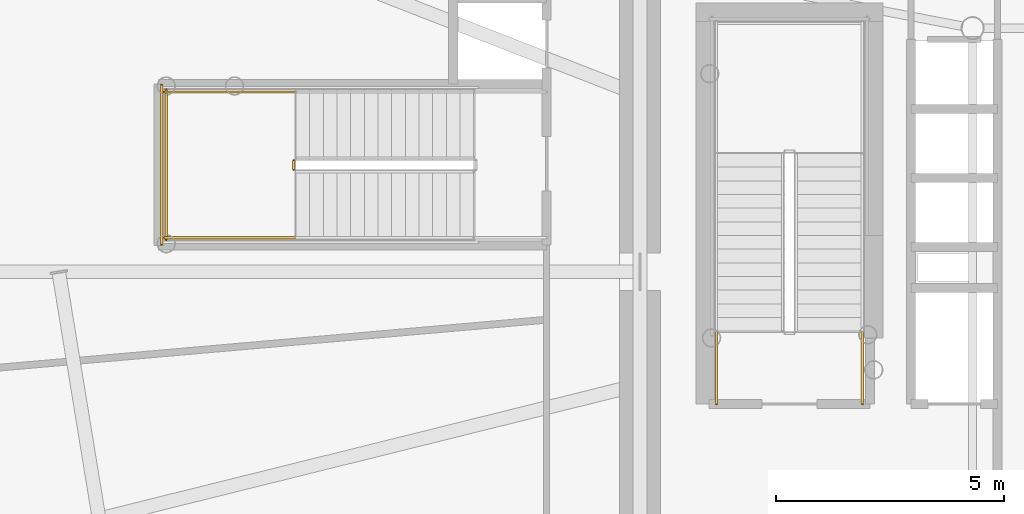
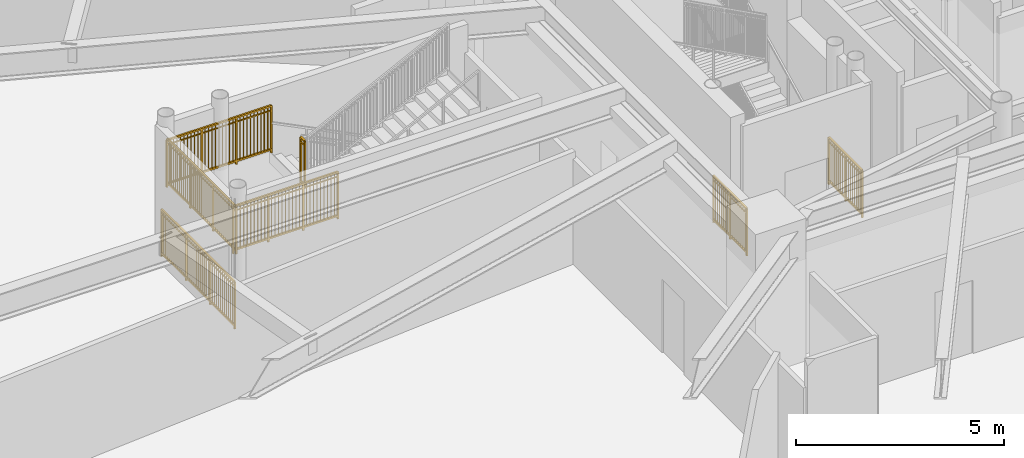
# One storey, part 21 of 31: 7 railings.
"""IFC4 building model written with IfcOpenShell, lengths in metres."""

from ifc_helpers import new_model, si_unit, direction, frame, origin, origin_2d, place, context, subcontext, project, spatial, rectangle, extrude, source, transform, mapped, material, type_object, element, save


model = new_model("IFC4")

# Units and contexts
model_context = context("Model", 3, precision=1e-05, world=origin(), true_north=direction((0.0, 1.0)))
body_context = subcontext(model_context, "Body", "Model", "MODEL_VIEW")
ifc_project = project(units=[si_unit("LENGTHUNIT", "METRE"), si_unit("AREAUNIT", "SQUARE_METRE"), si_unit("VOLUMEUNIT", "CUBIC_METRE"), si_unit("PLANEANGLEUNIT", "RADIAN"), si_unit("MASSUNIT", "GRAM", prefix="KILO")], contexts=[model_context])

# Site, building, storey
site_placement = place(None, origin())
site = spatial("IfcSite", under=ifc_project, at=site_placement, CompositionType="ELEMENT")
building_placement = place(site_placement, origin())
building = spatial("IfcBuilding", under=site, at=building_placement, Name="Linh Dai School and Residence Tower", CompositionType="ELEMENT")
storey_placement = place(building_placement, frame((0.0, 0.0, 6.0)))
storey = spatial("IfcBuildingStorey", under=building, at=storey_placement, Name="L01", CompositionType="ELEMENT", Elevation=6.0)

# Railings
ifc_material = material(Name="Structural Steel S355JR", Category="steel")
railing_type = type_object("IfcRailingType", Name="RL-ST-GUARD-1400", PredefinedType="GUARDRAIL", material=ifc_material)
shared_shape_1 = source(origin(), body_context, "Body", "SweptSolid", [
    extrude(rectangle(XDim=0.048095703125, YDim=0.048095703125, at=origin_2d()), frame((0.0, 0.0, 1.3759765625), z_axis=(0.0, 1.0, 0.0), x_axis=(-1.0, 0.0, 0.0)), (0.0, 0.0, 1.0), 1.599853515625),
    extrude(rectangle(XDim=0.048095703125, YDim=0.048095703125, at=origin_2d()), frame((0.0, 0.0, 0.10009765625), z_axis=(0.0, 1.0, 0.0), x_axis=(-1.0, 0.0, 0.0)), (0.0, 0.0, 1.0), 1.599853515625),
    extrude(rectangle(XDim=0.030029296875, YDim=0.030029296875, at=origin_2d()), frame((0.0, 0.0, 1.239990234375), z_axis=(0.0, 1.0, 0.0), x_axis=(-1.0, 0.0, 0.0)), (0.0, 0.0, 1.0), 1.599853515625),
    extrude(rectangle(XDim=0.02001953125, YDim=0.02001953125, at=origin_2d()), frame((0.0, 0.093994140625, 0.10009765625)), (0.0, 0.0, 1.0), 1.251708984375),
    extrude(rectangle(XDim=0.02001953125, YDim=0.02001953125, at=origin_2d()), frame((0.0, 0.188232421875, 0.10009765625)), (0.0, 0.0, 1.0), 1.251708984375),
    extrude(rectangle(XDim=0.02001953125, YDim=0.02001953125, at=origin_2d()), frame((0.0, 0.2822265625, 0.10009765625)), (0.0, 0.0, 1.0), 1.251708984375),
    extrude(rectangle(XDim=0.02001953125, YDim=0.02001953125, at=origin_2d()), frame((0.0, 0.37646484375, 0.10009765625)), (0.0, 0.0, 1.0), 1.251708984375),
    extrude(rectangle(XDim=0.02001953125, YDim=0.02001953125, at=origin_2d()), frame((0.0, 0.470458984375, 0.10009765625)), (0.0, 0.0, 1.0), 1.251708984375),
    extrude(rectangle(XDim=0.02001953125, YDim=0.02001953125, at=origin_2d()), frame((0.0, 0.564697265625, 0.10009765625)), (0.0, 0.0, 1.0), 1.251708984375),
    extrude(rectangle(XDim=0.02001953125, YDim=0.02001953125, at=origin_2d()), frame((0.0, 0.65869140625, 0.10009765625)), (0.0, 0.0, 1.0), 1.251708984375),
    extrude(rectangle(XDim=0.02001953125, YDim=0.02001953125, at=origin_2d()), frame((0.0, 0.7529296875, 0.10009765625)), (0.0, 0.0, 1.0), 1.251708984375),
    extrude(rectangle(XDim=0.02001953125, YDim=0.02001953125, at=origin_2d()), frame((0.0, 0.846923828125, 0.10009765625)), (0.0, 0.0, 1.0), 1.251708984375),
    extrude(rectangle(XDim=0.02001953125, YDim=0.02001953125, at=origin_2d()), frame((0.0, 0.941162109375, 0.10009765625)), (0.0, 0.0, 1.0), 1.251708984375),
    extrude(rectangle(XDim=0.02001953125, YDim=0.02001953125, at=origin_2d()), frame((0.0, 1.03515625, 0.10009765625)), (0.0, 0.0, 1.0), 1.251708984375),
    extrude(rectangle(XDim=0.02001953125, YDim=0.02001953125, at=origin_2d()), frame((0.0, 1.12939453125, 0.10009765625)), (0.0, 0.0, 1.0), 1.251708984375),
    extrude(rectangle(XDim=0.02001953125, YDim=0.02001953125, at=origin_2d()), frame((0.0, 1.223388671875, 0.10009765625)), (0.0, 0.0, 1.0), 1.251708984375),
    extrude(rectangle(XDim=0.02001953125, YDim=0.02001953125, at=origin_2d()), frame((0.0, 1.317626953125, 0.10009765625)), (0.0, 0.0, 1.0), 1.251708984375),
    extrude(rectangle(XDim=0.02001953125, YDim=0.02001953125, at=origin_2d()), frame((0.0, 1.41162109375, 0.10009765625)), (0.0, 0.0, 1.0), 1.251708984375),
    extrude(rectangle(XDim=0.02001953125, YDim=0.02001953125, at=origin_2d()), frame((0.0, 1.505859375, 0.10009765625)), (0.0, 0.0, 1.0), 1.251708984375),
    extrude(rectangle(XDim=0.0419921875, YDim=0.0419921875, at=origin_2d()), origin(), (0.0, 0.0, 1.0), 1.3759765625),
    extrude(rectangle(XDim=0.0419921875, YDim=0.0419921875, at=origin_2d()), frame((0.0, 0.7998046875, 0.0)), (0.0, 0.0, 1.0), 1.3759765625),
    extrude(rectangle(XDim=0.0419921875, YDim=0.0419921875, at=origin_2d()), frame((0.0, 1.599853515625, 0.0)), (0.0, 0.0, 1.0), 1.3759765625),
])
for number, where, name in (
    (1, (30.929931640625, 24.10009765625, 0.0), "L01 ST1 stair guard 8"),
    (2, (27.72998046875, 24.10009765625, 0.0), "L01 ST1 stair guard 9"),
):
    element("IfcRailing", number, at=place(storey_placement, frame(where)), inside=storey, type_object=railing_type, Name=name, PredefinedType="GUARDRAIL", context=body_context, shape_type="MappedRepresentation", body=[
        mapped(shared_shape_1, transform((0.0, 0.0, 0.0), x_axis=(1.0, 0.0, 0.0), y_axis=(0.0, 1.0, 0.0), z_axis=(0.0, 0.0, 1.0), scale=1.0)),
    ])
shared_shape_2 = source(origin(), body_context, "Body", "SweptSolid", [
    extrude(rectangle(XDim=0.048095703125, YDim=0.048095703125, at=origin_2d()), frame((0.0, 0.0, 1.3759765625), z_axis=(0.0, -1.0, 0.0), x_axis=(1.0, 0.0, 0.0)), (0.0, 0.0, 1.0), 0.199951171875),
    extrude(rectangle(XDim=0.048095703125, YDim=0.048095703125, at=origin_2d()), frame((0.0, 0.0, 0.10009765625), z_axis=(0.0, -1.0, 0.0), x_axis=(1.0, 0.0, 0.0)), (0.0, 0.0, 1.0), 0.199951171875),
    extrude(rectangle(XDim=0.030029296875, YDim=0.030029296875, at=origin_2d()), frame((0.0, 0.0, 1.239990234375), z_axis=(0.0, -1.0, 0.0), x_axis=(1.0, 0.0, 0.0)), (0.0, 0.0, 1.0), 0.199951171875),
    extrude(rectangle(XDim=0.0419921875, YDim=0.0419921875, at=origin_2d()), origin(), (0.0, 0.0, 1.0), 1.3759765625),
    extrude(rectangle(XDim=0.0419921875, YDim=0.0419921875, at=origin_2d()), frame((0.0, -0.199951171875, 0.0)), (0.0, 0.0, 1.0), 1.3759765625),
])
railing_1_placement = place(storey_placement, frame((18.449951171875, 29.449951171875, 2.10009765625)))
element("IfcRailing", 3, at=railing_1_placement, inside=storey, type_object=railing_type, Name="L01 STS1 stair guard 2", PredefinedType="GUARDRAIL", context=body_context, shape_type="MappedRepresentation", body=[
    mapped(shared_shape_2, transform((0.0, 0.0, 0.0), x_axis=(1.0, 0.0, 0.0), y_axis=(0.0, 1.0, 0.0), z_axis=(0.0, 0.0, 1.0), scale=1.0)),
])
shared_shape_3 = source(origin(), body_context, "Body", "SweptSolid", [
    extrude(rectangle(XDim=0.048095703125, YDim=0.048095703125, at=origin_2d()), frame((0.0, 0.0, 1.3759765625), z_axis=(0.0, -1.0, 0.0), x_axis=(1.0, 0.0, 0.0)), (0.0, 0.0, 1.0), 3.300048828125),
    extrude(rectangle(XDim=0.048095703125, YDim=0.048095703125, at=origin_2d()), frame((0.0, 0.0, 0.10009765625), z_axis=(0.0, -1.0, 0.0), x_axis=(1.0, 0.0, 0.0)), (0.0, 0.0, 1.0), 3.300048828125),
    extrude(rectangle(XDim=0.030029296875, YDim=0.030029296875, at=origin_2d()), frame((0.0, 0.0, 1.239990234375), z_axis=(0.0, -1.0, 0.0), x_axis=(1.0, 0.0, 0.0)), (0.0, 0.0, 1.0), 3.300048828125),
    extrude(rectangle(XDim=0.02001953125, YDim=0.02001953125, at=origin_2d()), frame((0.0, -0.09716796875, 0.10009765625)), (0.0, 0.0, 1.0), 1.251708984375),
    extrude(rectangle(XDim=0.02001953125, YDim=0.02001953125, at=origin_2d()), frame((0.0, -0.194091796875, 0.10009765625)), (0.0, 0.0, 1.0), 1.251708984375),
    extrude(rectangle(XDim=0.02001953125, YDim=0.02001953125, at=origin_2d()), frame((0.0, -0.291259765625, 0.10009765625)), (0.0, 0.0, 1.0), 1.251708984375),
    extrude(rectangle(XDim=0.02001953125, YDim=0.02001953125, at=origin_2d()), frame((0.0, -0.38818359375, 0.10009765625)), (0.0, 0.0, 1.0), 1.251708984375),
    extrude(rectangle(XDim=0.02001953125, YDim=0.02001953125, at=origin_2d()), frame((0.0, -0.4853515625, 0.10009765625)), (0.0, 0.0, 1.0), 1.251708984375),
    extrude(rectangle(XDim=0.02001953125, YDim=0.02001953125, at=origin_2d()), frame((0.0, -0.582275390625, 0.10009765625)), (0.0, 0.0, 1.0), 1.251708984375),
    extrude(rectangle(XDim=0.02001953125, YDim=0.02001953125, at=origin_2d()), frame((0.0, -0.679443359375, 0.10009765625)), (0.0, 0.0, 1.0), 1.251708984375),
    extrude(rectangle(XDim=0.02001953125, YDim=0.02001953125, at=origin_2d()), frame((0.0, -0.7763671875, 0.10009765625)), (0.0, 0.0, 1.0), 1.251708984375),
    extrude(rectangle(XDim=0.02001953125, YDim=0.02001953125, at=origin_2d()), frame((0.0, -0.87353515625, 0.10009765625)), (0.0, 0.0, 1.0), 1.251708984375),
    extrude(rectangle(XDim=0.02001953125, YDim=0.02001953125, at=origin_2d()), frame((0.0, -0.970703125, 0.10009765625)), (0.0, 0.0, 1.0), 1.251708984375),
    extrude(rectangle(XDim=0.02001953125, YDim=0.02001953125, at=origin_2d()), frame((0.0, -1.164794921875, 0.10009765625)), (0.0, 0.0, 1.0), 1.251708984375),
    extrude(rectangle(XDim=0.02001953125, YDim=0.02001953125, at=origin_2d()), frame((0.0, -1.26171875, 0.10009765625)), (0.0, 0.0, 1.0), 1.251708984375),
    extrude(rectangle(XDim=0.02001953125, YDim=0.02001953125, at=origin_2d()), frame((0.0, -1.35888671875, 0.10009765625)), (0.0, 0.0, 1.0), 1.251708984375),
    extrude(rectangle(XDim=0.02001953125, YDim=0.02001953125, at=origin_2d()), frame((0.0, -1.455810546875, 0.10009765625)), (0.0, 0.0, 1.0), 1.251708984375),
    extrude(rectangle(XDim=0.02001953125, YDim=0.02001953125, at=origin_2d()), frame((0.0, -1.552978515625, 0.10009765625)), (0.0, 0.0, 1.0), 1.251708984375),
    extrude(rectangle(XDim=0.02001953125, YDim=0.02001953125, at=origin_2d()), frame((0.0, -1.64990234375, 0.10009765625)), (0.0, 0.0, 1.0), 1.251708984375),
    extrude(rectangle(XDim=0.02001953125, YDim=0.02001953125, at=origin_2d()), frame((0.0, -1.7470703125, 0.10009765625)), (0.0, 0.0, 1.0), 1.251708984375),
    extrude(rectangle(XDim=0.02001953125, YDim=0.02001953125, at=origin_2d()), frame((0.0, -1.84423828125, 0.10009765625)), (0.0, 0.0, 1.0), 1.251708984375),
    extrude(rectangle(XDim=0.02001953125, YDim=0.02001953125, at=origin_2d()), frame((0.0, -1.941162109375, 0.10009765625)), (0.0, 0.0, 1.0), 1.251708984375),
    extrude(rectangle(XDim=0.02001953125, YDim=0.02001953125, at=origin_2d()), frame((0.0, -2.038330078125, 0.10009765625)), (0.0, 0.0, 1.0), 1.251708984375),
    extrude(rectangle(XDim=0.02001953125, YDim=0.02001953125, at=origin_2d()), frame((0.0, -2.13525390625, 0.10009765625)), (0.0, 0.0, 1.0), 1.251708984375),
    extrude(rectangle(XDim=0.02001953125, YDim=0.02001953125, at=origin_2d()), frame((0.0, -2.329345703125, 0.10009765625)), (0.0, 0.0, 1.0), 1.251708984375),
    extrude(rectangle(XDim=0.02001953125, YDim=0.02001953125, at=origin_2d()), frame((0.0, -2.426513671875, 0.10009765625)), (0.0, 0.0, 1.0), 1.251708984375),
    extrude(rectangle(XDim=0.02001953125, YDim=0.02001953125, at=origin_2d()), frame((0.0, -2.523681640625, 0.10009765625)), (0.0, 0.0, 1.0), 1.251708984375),
    extrude(rectangle(XDim=0.02001953125, YDim=0.02001953125, at=origin_2d()), frame((0.0, -2.62060546875, 0.10009765625)), (0.0, 0.0, 1.0), 1.251708984375),
    extrude(rectangle(XDim=0.02001953125, YDim=0.02001953125, at=origin_2d()), frame((0.0, -2.7177734375, 0.10009765625)), (0.0, 0.0, 1.0), 1.251708984375),
    extrude(rectangle(XDim=0.02001953125, YDim=0.02001953125, at=origin_2d()), frame((0.0, -2.814697265625, 0.10009765625)), (0.0, 0.0, 1.0), 1.251708984375),
    extrude(rectangle(XDim=0.02001953125, YDim=0.02001953125, at=origin_2d()), frame((0.0, -2.911865234375, 0.10009765625)), (0.0, 0.0, 1.0), 1.251708984375),
    extrude(rectangle(XDim=0.02001953125, YDim=0.02001953125, at=origin_2d()), frame((0.0, -3.0087890625, 0.10009765625)), (0.0, 0.0, 1.0), 1.251708984375),
    extrude(rectangle(XDim=0.02001953125, YDim=0.02001953125, at=origin_2d()), frame((0.0, -3.10595703125, 0.10009765625)), (0.0, 0.0, 1.0), 1.251708984375),
    extrude(rectangle(XDim=0.02001953125, YDim=0.02001953125, at=origin_2d()), frame((0.0, -3.202880859375, 0.10009765625)), (0.0, 0.0, 1.0), 1.251708984375),
    extrude(rectangle(XDim=0.0419921875, YDim=0.0419921875, at=origin_2d()), origin(), (0.0, 0.0, 1.0), 1.3759765625),
    extrude(rectangle(XDim=0.0419921875, YDim=0.0419921875, at=origin_2d()), frame((0.0, -1.10009765625, 0.0)), (0.0, 0.0, 1.0), 1.3759765625),
    extrude(rectangle(XDim=0.0419921875, YDim=0.0419921875, at=origin_2d()), frame((0.0, -2.199951171875, 0.0)), (0.0, 0.0, 1.0), 1.3759765625),
    extrude(rectangle(XDim=0.0419921875, YDim=0.0419921875, at=origin_2d()), frame((0.0, -3.300048828125, 0.0)), (0.0, 0.0, 1.0), 1.3759765625),
])
railing_2_placement = place(storey_placement, frame((15.64990234375, 31.0, 2.10009765625)))
element("IfcRailing", 4, at=railing_2_placement, inside=storey, type_object=railing_type, Name="L01 STS1 stair guard 5", PredefinedType="GUARDRAIL", context=body_context, shape_type="MappedRepresentation", body=[
    mapped(shared_shape_3, transform((0.0, 0.0, 0.0), x_axis=(1.0, 0.0, 0.0), y_axis=(0.0, 1.0, 0.0), z_axis=(0.0, 0.0, 1.0), scale=1.0)),
])
shared_shape_4 = source(origin(), body_context, "Body", "SweptSolid", [
    extrude(rectangle(XDim=0.048095703125, YDim=0.048095703125, at=origin_2d()), frame((0.0, 0.0, 1.3759765625), z_axis=(-1.0, 0.0, 0.0), x_axis=(0.0, -1.0, 0.0)), (0.0, 0.0, 1.0), 2.89990234375),
    extrude(rectangle(XDim=0.048095703125, YDim=0.048095703125, at=origin_2d()), frame((0.0, 0.0, 0.10009765625), z_axis=(-1.0, 0.0, 0.0), x_axis=(0.0, -1.0, 0.0)), (0.0, 0.0, 1.0), 2.89990234375),
    extrude(rectangle(XDim=0.030029296875, YDim=0.030029296875, at=origin_2d()), frame((0.0, 0.0, 1.239990234375), z_axis=(-1.0, 0.0, 0.0), x_axis=(0.0, -1.0, 0.0)), (0.0, 0.0, 1.0), 2.89990234375),
    extrude(rectangle(XDim=0.02001953125, YDim=0.02001953125, at=origin_2d()), frame((-0.0966796875, 0.0, 0.10009765625)), (0.0, 0.0, 1.0), 1.251708984375),
    extrude(rectangle(XDim=0.02001953125, YDim=0.02001953125, at=origin_2d()), frame((-0.193359375, 0.0, 0.10009765625)), (0.0, 0.0, 1.0), 1.251708984375),
    extrude(rectangle(XDim=0.02001953125, YDim=0.02001953125, at=origin_2d()), frame((-0.2900390625, 0.0, 0.10009765625)), (0.0, 0.0, 1.0), 1.251708984375),
    extrude(rectangle(XDim=0.02001953125, YDim=0.02001953125, at=origin_2d()), frame((-0.38671875, 0.0, 0.10009765625)), (0.0, 0.0, 1.0), 1.251708984375),
    extrude(rectangle(XDim=0.02001953125, YDim=0.02001953125, at=origin_2d()), frame((-0.4833984375, 0.0, 0.10009765625)), (0.0, 0.0, 1.0), 1.251708984375),
    extrude(rectangle(XDim=0.02001953125, YDim=0.02001953125, at=origin_2d()), frame((-0.580078125, 0.0, 0.10009765625)), (0.0, 0.0, 1.0), 1.251708984375),
    extrude(rectangle(XDim=0.02001953125, YDim=0.02001953125, at=origin_2d()), frame((-0.6767578125, 0.0, 0.10009765625)), (0.0, 0.0, 1.0), 1.251708984375),
    extrude(rectangle(XDim=0.02001953125, YDim=0.02001953125, at=origin_2d()), frame((-0.773193359375, 0.0, 0.10009765625)), (0.0, 0.0, 1.0), 1.251708984375),
    extrude(rectangle(XDim=0.02001953125, YDim=0.02001953125, at=origin_2d()), frame((-0.869873046875, 0.0, 0.10009765625)), (0.0, 0.0, 1.0), 1.251708984375),
    extrude(rectangle(XDim=0.02001953125, YDim=0.02001953125, at=origin_2d()), frame((-1.063232421875, 0.0, 0.10009765625)), (0.0, 0.0, 1.0), 1.251708984375),
    extrude(rectangle(XDim=0.02001953125, YDim=0.02001953125, at=origin_2d()), frame((-1.159912109375, 0.0, 0.10009765625)), (0.0, 0.0, 1.0), 1.251708984375),
    extrude(rectangle(XDim=0.02001953125, YDim=0.02001953125, at=origin_2d()), frame((-1.256591796875, 0.0, 0.10009765625)), (0.0, 0.0, 1.0), 1.251708984375),
    extrude(rectangle(XDim=0.02001953125, YDim=0.02001953125, at=origin_2d()), frame((-1.353271484375, 0.0, 0.10009765625)), (0.0, 0.0, 1.0), 1.251708984375),
    extrude(rectangle(XDim=0.02001953125, YDim=0.02001953125, at=origin_2d()), frame((-1.449951171875, 0.0, 0.10009765625)), (0.0, 0.0, 1.0), 1.251708984375),
    extrude(rectangle(XDim=0.02001953125, YDim=0.02001953125, at=origin_2d()), frame((-1.546630859375, 0.0, 0.10009765625)), (0.0, 0.0, 1.0), 1.251708984375),
    extrude(rectangle(XDim=0.02001953125, YDim=0.02001953125, at=origin_2d()), frame((-1.643310546875, 0.0, 0.10009765625)), (0.0, 0.0, 1.0), 1.251708984375),
    extrude(rectangle(XDim=0.02001953125, YDim=0.02001953125, at=origin_2d()), frame((-1.739990234375, 0.0, 0.10009765625)), (0.0, 0.0, 1.0), 1.251708984375),
    extrude(rectangle(XDim=0.02001953125, YDim=0.02001953125, at=origin_2d()), frame((-1.836669921875, 0.0, 0.10009765625)), (0.0, 0.0, 1.0), 1.251708984375),
    extrude(rectangle(XDim=0.02001953125, YDim=0.02001953125, at=origin_2d()), frame((-2.030029296875, 0.0, 0.10009765625)), (0.0, 0.0, 1.0), 1.251708984375),
    extrude(rectangle(XDim=0.02001953125, YDim=0.02001953125, at=origin_2d()), frame((-2.126708984375, 0.0, 0.10009765625)), (0.0, 0.0, 1.0), 1.251708984375),
    extrude(rectangle(XDim=0.02001953125, YDim=0.02001953125, at=origin_2d()), frame((-2.22314453125, 0.0, 0.10009765625)), (0.0, 0.0, 1.0), 1.251708984375),
    extrude(rectangle(XDim=0.02001953125, YDim=0.02001953125, at=origin_2d()), frame((-2.31982421875, 0.0, 0.10009765625)), (0.0, 0.0, 1.0), 1.251708984375),
    extrude(rectangle(XDim=0.02001953125, YDim=0.02001953125, at=origin_2d()), frame((-2.41650390625, 0.0, 0.10009765625)), (0.0, 0.0, 1.0), 1.251708984375),
    extrude(rectangle(XDim=0.02001953125, YDim=0.02001953125, at=origin_2d()), frame((-2.51318359375, 0.0, 0.10009765625)), (0.0, 0.0, 1.0), 1.251708984375),
    extrude(rectangle(XDim=0.02001953125, YDim=0.02001953125, at=origin_2d()), frame((-2.60986328125, 0.0, 0.10009765625)), (0.0, 0.0, 1.0), 1.251708984375),
    extrude(rectangle(XDim=0.02001953125, YDim=0.02001953125, at=origin_2d()), frame((-2.70654296875, 0.0, 0.10009765625)), (0.0, 0.0, 1.0), 1.251708984375),
    extrude(rectangle(XDim=0.02001953125, YDim=0.02001953125, at=origin_2d()), frame((-2.80322265625, 0.0, 0.10009765625)), (0.0, 0.0, 1.0), 1.251708984375),
    extrude(rectangle(XDim=0.0419921875, YDim=0.0419921875, at=origin_2d()), origin(), (0.0, 0.0, 1.0), 1.3759765625),
    extrude(rectangle(XDim=0.0419921875, YDim=0.0419921875, at=origin_2d()), frame((-0.966552734375, 0.0, 0.0)), (0.0, 0.0, 1.0), 1.3759765625),
    extrude(rectangle(XDim=0.0419921875, YDim=0.0419921875, at=origin_2d()), frame((-1.933349609375, 0.0, 0.0)), (0.0, 0.0, 1.0), 1.3759765625),
    extrude(rectangle(XDim=0.0419921875, YDim=0.0419921875, at=origin_2d()), frame((-2.89990234375, 0.0, 0.0)), (0.0, 0.0, 1.0), 1.3759765625),
])
for number, where, name in (
    (5, (18.5, 30.949951171875, 2.10009765625), "L01 STS1 stair guard 3"),
    (6, (18.5, 27.75, 2.10009765625), "L01 STS1 stair guard 4"),
):
    element("IfcRailing", number, at=place(storey_placement, frame(where)), inside=storey, type_object=railing_type, Name=name, PredefinedType="GUARDRAIL", context=body_context, shape_type="MappedRepresentation", body=[
        mapped(shared_shape_4, transform((0.0, 0.0, 0.0), x_axis=(1.0, 0.0, 0.0), y_axis=(0.0, 1.0, 0.0), z_axis=(0.0, 0.0, 1.0), scale=1.0)),
    ])
shared_shape_5 = source(origin(), body_context, "Body", "SweptSolid", [
    extrude(rectangle(XDim=0.048095703125, YDim=0.048095703125, at=origin_2d()), frame((0.0, 0.0, 1.3759765625), z_axis=(0.0, -1.0, 0.0), x_axis=(1.0, 0.0, 0.0)), (0.0, 0.0, 1.0), 3.5),
    extrude(rectangle(XDim=0.048095703125, YDim=0.048095703125, at=origin_2d()), frame((0.0, 0.0, 0.10009765625), z_axis=(0.0, -1.0, 0.0), x_axis=(1.0, 0.0, 0.0)), (0.0, 0.0, 1.0), 3.5),
    extrude(rectangle(XDim=0.030029296875, YDim=0.030029296875, at=origin_2d()), frame((0.0, 0.0, 1.239990234375), z_axis=(0.0, -1.0, 0.0), x_axis=(1.0, 0.0, 0.0)), (0.0, 0.0, 1.0), 3.5),
    extrude(rectangle(XDim=0.02001953125, YDim=0.02001953125, at=origin_2d()), frame((0.0, -0.09716796875, 0.10009765625)), (0.0, 0.0, 1.0), 1.251708984375),
    extrude(rectangle(XDim=0.02001953125, YDim=0.02001953125, at=origin_2d()), frame((0.0, -0.1943359375, 0.10009765625)), (0.0, 0.0, 1.0), 1.251708984375),
    extrude(rectangle(XDim=0.02001953125, YDim=0.02001953125, at=origin_2d()), frame((0.0, -0.291748046875, 0.10009765625)), (0.0, 0.0, 1.0), 1.251708984375),
    extrude(rectangle(XDim=0.02001953125, YDim=0.02001953125, at=origin_2d()), frame((0.0, -0.388916015625, 0.10009765625)), (0.0, 0.0, 1.0), 1.251708984375),
    extrude(rectangle(XDim=0.02001953125, YDim=0.02001953125, at=origin_2d()), frame((0.0, -0.486083984375, 0.10009765625)), (0.0, 0.0, 1.0), 1.251708984375),
    extrude(rectangle(XDim=0.02001953125, YDim=0.02001953125, at=origin_2d()), frame((0.0, -0.583251953125, 0.10009765625)), (0.0, 0.0, 1.0), 1.251708984375),
    extrude(rectangle(XDim=0.02001953125, YDim=0.02001953125, at=origin_2d()), frame((0.0, -0.6806640625, 0.10009765625)), (0.0, 0.0, 1.0), 1.251708984375),
    extrude(rectangle(XDim=0.02001953125, YDim=0.02001953125, at=origin_2d()), frame((0.0, -0.77783203125, 0.10009765625)), (0.0, 0.0, 1.0), 1.251708984375),
    extrude(rectangle(XDim=0.02001953125, YDim=0.02001953125, at=origin_2d()), frame((0.0, -0.875, 0.10009765625)), (0.0, 0.0, 1.0), 1.251708984375),
    extrude(rectangle(XDim=0.02001953125, YDim=0.02001953125, at=origin_2d()), frame((0.0, -0.97216796875, 0.10009765625)), (0.0, 0.0, 1.0), 1.251708984375),
    extrude(rectangle(XDim=0.02001953125, YDim=0.02001953125, at=origin_2d()), frame((0.0, -1.0693359375, 0.10009765625)), (0.0, 0.0, 1.0), 1.251708984375),
    extrude(rectangle(XDim=0.02001953125, YDim=0.02001953125, at=origin_2d()), frame((0.0, -1.263916015625, 0.10009765625)), (0.0, 0.0, 1.0), 1.251708984375),
    extrude(rectangle(XDim=0.02001953125, YDim=0.02001953125, at=origin_2d()), frame((0.0, -1.361083984375, 0.10009765625)), (0.0, 0.0, 1.0), 1.251708984375),
    extrude(rectangle(XDim=0.02001953125, YDim=0.02001953125, at=origin_2d()), frame((0.0, -1.458251953125, 0.10009765625)), (0.0, 0.0, 1.0), 1.251708984375),
    extrude(rectangle(XDim=0.02001953125, YDim=0.02001953125, at=origin_2d()), frame((0.0, -1.5556640625, 0.10009765625)), (0.0, 0.0, 1.0), 1.251708984375),
    extrude(rectangle(XDim=0.02001953125, YDim=0.02001953125, at=origin_2d()), frame((0.0, -1.65283203125, 0.10009765625)), (0.0, 0.0, 1.0), 1.251708984375),
    extrude(rectangle(XDim=0.02001953125, YDim=0.02001953125, at=origin_2d()), frame((0.0, -1.75, 0.10009765625)), (0.0, 0.0, 1.0), 1.251708984375),
    extrude(rectangle(XDim=0.02001953125, YDim=0.02001953125, at=origin_2d()), frame((0.0, -1.84716796875, 0.10009765625)), (0.0, 0.0, 1.0), 1.251708984375),
    extrude(rectangle(XDim=0.02001953125, YDim=0.02001953125, at=origin_2d()), frame((0.0, -1.9443359375, 0.10009765625)), (0.0, 0.0, 1.0), 1.251708984375),
    extrude(rectangle(XDim=0.02001953125, YDim=0.02001953125, at=origin_2d()), frame((0.0, -2.041748046875, 0.10009765625)), (0.0, 0.0, 1.0), 1.251708984375),
    extrude(rectangle(XDim=0.02001953125, YDim=0.02001953125, at=origin_2d()), frame((0.0, -2.138916015625, 0.10009765625)), (0.0, 0.0, 1.0), 1.251708984375),
    extrude(rectangle(XDim=0.02001953125, YDim=0.02001953125, at=origin_2d()), frame((0.0, -2.236083984375, 0.10009765625)), (0.0, 0.0, 1.0), 1.251708984375),
    extrude(rectangle(XDim=0.02001953125, YDim=0.02001953125, at=origin_2d()), frame((0.0, -2.4306640625, 0.10009765625)), (0.0, 0.0, 1.0), 1.251708984375),
    extrude(rectangle(XDim=0.02001953125, YDim=0.02001953125, at=origin_2d()), frame((0.0, -2.52783203125, 0.10009765625)), (0.0, 0.0, 1.0), 1.251708984375),
    extrude(rectangle(XDim=0.02001953125, YDim=0.02001953125, at=origin_2d()), frame((0.0, -2.625, 0.10009765625)), (0.0, 0.0, 1.0), 1.251708984375),
    extrude(rectangle(XDim=0.02001953125, YDim=0.02001953125, at=origin_2d()), frame((0.0, -2.72216796875, 0.10009765625)), (0.0, 0.0, 1.0), 1.251708984375),
    extrude(rectangle(XDim=0.02001953125, YDim=0.02001953125, at=origin_2d()), frame((0.0, -2.8193359375, 0.10009765625)), (0.0, 0.0, 1.0), 1.251708984375),
    extrude(rectangle(XDim=0.02001953125, YDim=0.02001953125, at=origin_2d()), frame((0.0, -2.916748046875, 0.10009765625)), (0.0, 0.0, 1.0), 1.251708984375),
    extrude(rectangle(XDim=0.02001953125, YDim=0.02001953125, at=origin_2d()), frame((0.0, -3.013916015625, 0.10009765625)), (0.0, 0.0, 1.0), 1.251708984375),
    extrude(rectangle(XDim=0.02001953125, YDim=0.02001953125, at=origin_2d()), frame((0.0, -3.111083984375, 0.10009765625)), (0.0, 0.0, 1.0), 1.251708984375),
    extrude(rectangle(XDim=0.02001953125, YDim=0.02001953125, at=origin_2d()), frame((0.0, -3.208251953125, 0.10009765625)), (0.0, 0.0, 1.0), 1.251708984375),
    extrude(rectangle(XDim=0.02001953125, YDim=0.02001953125, at=origin_2d()), frame((0.0, -3.3056640625, 0.10009765625)), (0.0, 0.0, 1.0), 1.251708984375),
    extrude(rectangle(XDim=0.02001953125, YDim=0.02001953125, at=origin_2d()), frame((0.0, -3.40283203125, 0.10009765625)), (0.0, 0.0, 1.0), 1.251708984375),
    extrude(rectangle(XDim=0.0419921875, YDim=0.0419921875, at=origin_2d()), origin(), (0.0, 0.0, 1.0), 1.3759765625),
    extrude(rectangle(XDim=0.0419921875, YDim=0.0419921875, at=origin_2d()), frame((0.0, -1.166748046875, 0.0)), (0.0, 0.0, 1.0), 1.3759765625),
    extrude(rectangle(XDim=0.0419921875, YDim=0.0419921875, at=origin_2d()), frame((0.0, -2.333251953125, 0.0)), (0.0, 0.0, 1.0), 1.3759765625),
    extrude(rectangle(XDim=0.0419921875, YDim=0.0419921875, at=origin_2d()), frame((0.0, -3.5, 0.0)), (0.0, 0.0, 1.0), 1.3759765625),
])
railing_3_placement = place(storey_placement, frame((15.550048828125, 31.10009765625, 0.0)))
element("IfcRailing", 7, at=railing_3_placement, inside=storey, type_object=railing_type, Name="L01 STS1 stair guard 12", PredefinedType="GUARDRAIL", context=body_context, shape_type="MappedRepresentation", body=[
    mapped(shared_shape_5, transform((0.0, 0.0, 0.0), x_axis=(1.0, 0.0, 0.0), y_axis=(0.0, 1.0, 0.0), z_axis=(0.0, 0.0, 1.0), scale=1.0)),
])

save(model, "model.ifc")
